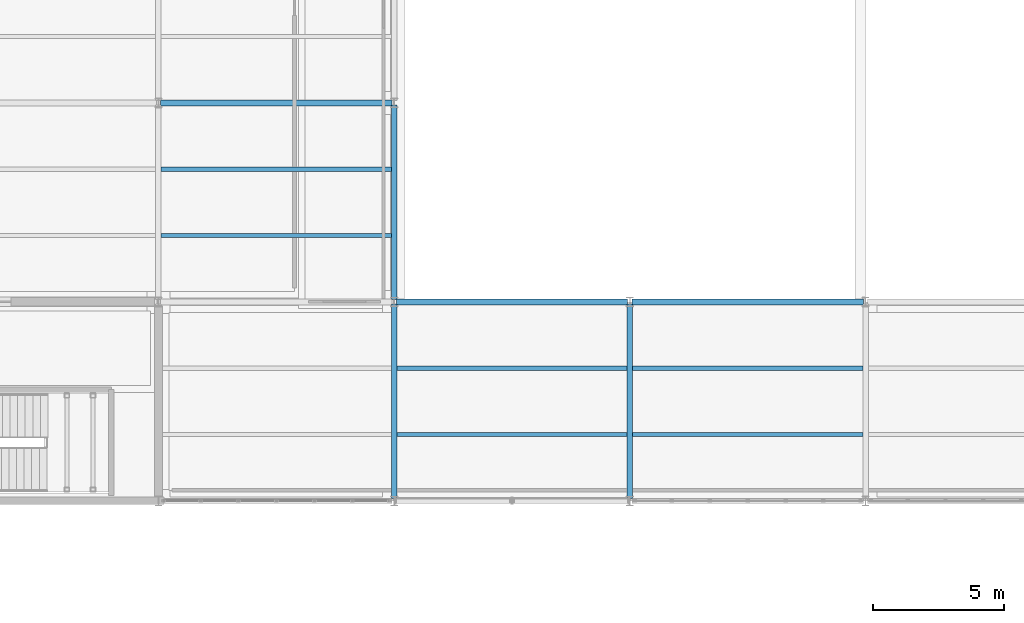
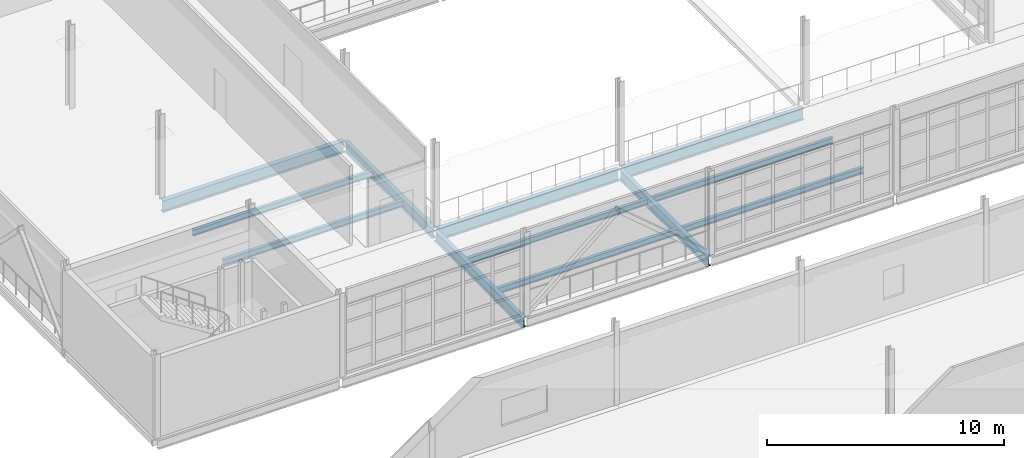
# One storey, part 39 of 174: 12 beams.
"""IFC4 building model written with IfcOpenShell, lengths in metres."""

import ifcopenshell
import ifcopenshell.guid

model = None  # the IFC model being written
_history = None  # IfcOwnerHistory: only IFC2X3 demands one
_inside = {}  # id of a spatial element -> (the spatial element, [elements in it])
_under = {}  # id of a project, library or spatial element -> (it, [spatial elements below it])
_declared = {}  # id of a project -> (the project, [libraries it declares])
_typed = {}  # id of a type object -> (the type object, [elements of that type])
_made_of = {}  # id of a material, layer set ... -> (it, [elements and type objects made of it])


def new_model(schema):
    """Start an empty IFC model of exactly this schema.

    Asked for "IFC4X3", IfcOpenShell would pick the latest addendum, in which some entities
    have other attributes; the version numbers below select the first issue.
    IFC2X3 requires an IfcOwnerHistory on every rooted entity: one is made here for all.
    """
    global model, _history
    if schema == "IFC4X3":
        model = ifcopenshell.file(schema_version=(4, 3, 0, 0))
    else:
        model = ifcopenshell.file(schema=schema)
    _inside.clear()
    _under.clear()
    _declared.clear()
    _typed.clear()
    _made_of.clear()
    _history = None
    if model.schema == "IFC2X3":
        org = make("IfcOrganization", Name="unknown")
        user = make(
            "IfcPersonAndOrganization",
            ThePerson=make("IfcPerson", FamilyName="unknown"),
            TheOrganization=org,
        )
        app = make(
            "IfcApplication",
            ApplicationDeveloper=org,
            Version="unknown",
            ApplicationFullName="unknown",
            ApplicationIdentifier="unknown",
        )
        _history = make(
            "IfcOwnerHistory",
            OwningUser=user,
            OwningApplication=app,
            ChangeAction="ADDED",
            CreationDate=0,
        )
    return model


def make(cls, **values):
    """One entity of the class cls with the attributes given. An attribute that is None is left unset."""
    return model.create_entity(
        cls, **{name: value for name, value in values.items() if value is not None}
    )


def rooted(cls, **values):
    """An entity with a GlobalId (a new one), such as an element, a storey or a relation."""
    return make(cls, GlobalId=ifcopenshell.guid.new(), OwnerHistory=_history, **values)


def si_unit(unit_type, name, prefix=None):
    """IfcSIUnit, for example si_unit("LENGTHUNIT", "METRE", prefix="MILLI")."""
    return make("IfcSIUnit", UnitType=unit_type, Prefix=prefix, Name=name)


def assignment(units):
    """IfcUnitAssignment: the units of a project."""
    return None if units is None else make("IfcUnitAssignment", Units=units)


def point(xyz):
    """IfcCartesianPoint."""
    return None if xyz is None else make("IfcCartesianPoint", Coordinates=xyz)


def direction(xyz):
    """IfcDirection."""
    return None if xyz is None else make("IfcDirection", DirectionRatios=xyz)


def frame(location, z_axis=None, x_axis=None):
    """IfcAxis2Placement3D, a coordinate frame: its origin and axes. An axis left out is left unset."""
    return make(
        "IfcAxis2Placement3D",
        Location=point(location),
        Axis=direction(z_axis),
        RefDirection=direction(x_axis),
    )


def frame_2d(location, x_axis=None):
    """IfcAxis2Placement2D, a coordinate frame in the plane: its origin and x axis."""
    return make(
        "IfcAxis2Placement2D", Location=point(location), RefDirection=direction(x_axis)
    )


def origin():
    """The frame at (0, 0, 0) with its axes left unset."""
    return frame((0.0, 0.0, 0.0))


def origin_2d():
    """The frame at (0, 0) in the plane with its x axis left unset."""
    return frame_2d((0.0, 0.0))


def place(relative_to, where):
    """IfcLocalPlacement: puts the frame where relative to a parent placement (None: the world)."""
    return make(
        "IfcLocalPlacement", PlacementRelTo=relative_to, RelativePlacement=where
    )


def context(
    kind, dimensions, precision=None, world=None, true_north=None, identifier=None
):
    """IfcGeometricRepresentationContext, for example the 3D "Model" context."""
    return make(
        "IfcGeometricRepresentationContext",
        ContextIdentifier=identifier,
        ContextType=kind,
        CoordinateSpaceDimension=dimensions,
        Precision=precision,
        WorldCoordinateSystem=world,
        TrueNorth=true_north,
    )


def subcontext(parent, identifier, kind, view, scale=None):
    """IfcGeometricRepresentationSubContext, for example "Body" below "Model"."""
    return make(
        "IfcGeometricRepresentationSubContext",
        ContextIdentifier=identifier,
        ContextType=kind,
        ParentContext=parent,
        TargetScale=scale,
        TargetView=view,
    )


def project(units=None, contexts=None):
    """IfcProject with its units and contexts."""
    return rooted(
        "IfcProject",
        Name="project",
        RepresentationContexts=contexts,
        UnitsInContext=assignment(units),
    )


def spatial(cls, under=None, at=None, **own):
    """A site, building, storey or space (cls), placed at a placement, below another one or the project."""
    s = rooted(cls, ObjectPlacement=at, **own)
    if under is not None:
        _under.setdefault(under.id(), (under, []))[1].append(s)
    return s


def profile(cls, at=None, kind="AREA", **sizes):
    """A parametric profile (cls). Its sizes go by their IFC names, for example OverallWidth=200.0."""
    return make(cls, ProfileType=kind, Position=at, **sizes)


def i_section(**sizes):
    """IfcIShapeProfileDef."""
    return profile("IfcIShapeProfileDef", **sizes)


def extrude(swept, where, along, depth):
    """IfcExtrudedAreaSolid: the profile swept, set in the frame where, extruded along a direction by depth."""
    return make(
        "IfcExtrudedAreaSolid",
        SweptArea=swept,
        Position=where,
        ExtrudedDirection=direction(along),
        Depth=depth,
    )


def shape(context_of_items, identifier, shape_type, items):
    """IfcShapeRepresentation: the items that make up one representation, for example the "Body"."""
    return make(
        "IfcShapeRepresentation",
        ContextOfItems=context_of_items,
        RepresentationIdentifier=identifier,
        RepresentationType=shape_type,
        Items=items,
    )


def material(Name=None, Category=None):
    """IfcMaterial."""
    return make("IfcMaterial", Name=Name, Category=Category)


def material_profile(
    of_material, cross_section, Name=None, Category=None, Priority=None
):
    """IfcMaterialProfile: a cross section and its material."""
    return make(
        "IfcMaterialProfile",
        Name=Name,
        Material=of_material,
        Profile=cross_section,
        Priority=Priority,
        Category=Category,
    )


def profile_set(profiles, Name=None, composite=None):
    """IfcMaterialProfileSet."""
    return make(
        "IfcMaterialProfileSet",
        Name=Name,
        MaterialProfiles=profiles,
        CompositeProfile=composite,
    )


def made_of(thing, what):
    """Note that an element or type object is made of a material, layer set ...; save() writes the relation."""
    if what is not None:
        _made_of.setdefault(what.id(), (what, []))[1].append(thing)
    return thing


def type_object(cls, material=None, **own):
    """A type object (cls), such as IfcWallType, which elements share."""
    return made_of(rooted(cls, **own), material)


def element(
    cls,
    number,
    at=None,
    inside=None,
    cuts=None,
    type_object=None,
    material=None,
    context=None,
    identifier="Body",
    shape_type=None,
    held_by="IfcProductDefinitionShape",
    body=None,
    shapes=None,
    **own,
):
    """One element of the class cls, such as IfcWall. Its Tag is "e" and its number.

    at: its placement. inside: the storey or other place that contains it. cuts: it is an
    opening in that element (IfcRelVoidsElement). A single representation is given by context,
    identifier, shape_type and body (its items); several are given by shapes. held_by: the class
    of the entity that holds the representations. save() writes the other relations.
    """
    e = rooted(cls, Tag="e%d" % number, ObjectPlacement=at, **own)
    if body is not None:
        shapes = [shape(context, identifier, shape_type, body)]
    if shapes is not None:
        e.Representation = make(held_by, Representations=shapes)
    if inside is not None:
        _inside.setdefault(inside.id(), (inside, []))[1].append(e)
    if cuts is not None:
        rooted(
            "IfcRelVoidsElement", RelatingBuildingElement=cuts, RelatedOpeningElement=e
        )
    if type_object is not None:
        _typed.setdefault(type_object.id(), (type_object, []))[1].append(e)
    return made_of(e, material)


def aggregate(whole, parts):
    """IfcRelAggregates: a whole, such as a stair, and the parts it consists of."""
    return rooted("IfcRelAggregates", RelatingObject=whole, RelatedObjects=parts)


def save(model, path):
    """Write the relations noted so far, then the file.

    IfcRelAggregates (storeys below a building ...), IfcRelContainedInSpatialStructure (elements
    in a storey), IfcRelDefinesByType, IfcRelAssociatesMaterial and IfcRelDeclares: one each for
    every whole, place, type object, material and project.
    """
    for whole, parts in _under.values():
        aggregate(whole, parts)
    for where, things in _inside.values():
        rooted(
            "IfcRelContainedInSpatialStructure",
            RelatedElements=things,
            RelatingStructure=where,
        )
    for kind, things in _typed.values():
        rooted("IfcRelDefinesByType", RelatedObjects=things, RelatingType=kind)
    for what, things in _made_of.values():
        rooted("IfcRelAssociatesMaterial", RelatedObjects=things, RelatingMaterial=what)
    for by, libraries in _declared.values():
        rooted("IfcRelDeclares", RelatingContext=by, RelatedDefinitions=libraries)
    model.write(path)


model = new_model("IFC4")

# Units and contexts
model_context = context("Model", 3, precision=1e-05, world=origin(), true_north=direction((0.0, 1.0)))
body_context = subcontext(model_context, "Body", "Model", "MODEL_VIEW")
ifc_project = project(units=[si_unit("LENGTHUNIT", "METRE"), si_unit("AREAUNIT", "SQUARE_METRE"), si_unit("VOLUMEUNIT", "CUBIC_METRE"), si_unit("PLANEANGLEUNIT", "RADIAN"), si_unit("MASSUNIT", "GRAM", prefix="KILO")], contexts=[model_context])

# Site, building, storey
site_placement = place(None, origin())
site = spatial("IfcSite", under=ifc_project, at=site_placement, CompositionType="ELEMENT")
building_placement = place(site_placement, origin())
building = spatial("IfcBuilding", under=site, at=building_placement, Name="Caisbarro Railhouse Central Library", CompositionType="ELEMENT")
storey_placement = place(building_placement, frame((0.0, 0.0, 5.0400390625)))
storey = spatial("IfcBuildingStorey", under=building, at=storey_placement, Name="L01", CompositionType="ELEMENT", Elevation=5.0400390625)

# Beams
ifc_material = material(Name="Steel ASTM A572 Grade 50", Category="steel")
ifc_material_profile_1 = material_profile(ifc_material, i_section(OverallWidth=0.22802734375, OverallDepth=0.60791015625, WebThickness=0.01123046875, FlangeThickness=0.017333984375, FilletRadius=0.02197265625, at=origin_2d()), Name="W610X113.0")
ifc_profile_set_1 = profile_set([ifc_material_profile_1], Name="Steel ASTM A572 Grade 50")
beam_type_1 = type_object("IfcBeamType", Name="BM-G04", PredefinedType="BEAM", material=ifc_profile_set_1)
for number, where, z_axis, x_axis, name in (
    (1, (18.080078125, 38.0, -0.52392578125), (1.0, 0.0, 0.0), (0.0, 1.0, 0.0), "G04 beam L01 #798"),
    (2, (27.080078125, 38.0, -0.52392578125), (1.0, 0.0, 0.0), (0.0, 1.0, 0.0), "G04 beam L01 #799"),
    (3, (9.080078125, 45.60009765625, -0.52392578125), (1.0, 0.0, 0.0), (0.0, 1.0, 0.0), "G04 beam L01 #805"),
):
    element("IfcBeam", number, at=place(storey_placement, frame(where, z_axis=z_axis, x_axis=x_axis)), inside=storey, type_object=beam_type_1, Name=name, PredefinedType="BEAM", context=body_context, shape_type="SweptSolid", body=[
        extrude(i_section(OverallWidth=0.22802734375, OverallDepth=0.60791015625, WebThickness=0.01123046875, FlangeThickness=0.017333984375, FilletRadius=0.02197265625, at=origin_2d()), origin(), (0.0, 0.0, 1.0), 8.83984375),
    ])
ifc_material_profile_2 = material_profile(ifc_material, i_section(OverallWidth=0.208984375, OverallDepth=0.532958984375, WebThickness=0.01025390625, FlangeThickness=0.015625, FilletRadius=0.02001953125, at=origin_2d()), Name="W530X92.0")
ifc_profile_set_2 = profile_set([ifc_material_profile_2], Name="Steel ASTM A572 Grade 50")
beam_type_2 = type_object("IfcBeamType", Name="BM-G06", PredefinedType="BEAM", material=ifc_profile_set_2)
for number, where, z_axis, x_axis, name in (
    (4, (18.0, 30.47998046875, -0.486572265625), (0.0, 1.0, 0.0), (-1.0, 0.0, 0.0), "G06 beam L01 #833"),
    (5, (18.0, 38.080078125, -0.486572265625), (0.0, 1.0, 0.0), (-1.0, 0.0, 0.0), "G06 beam L01 #834"),
    (6, (27.0, 30.47998046875, -0.486572265625), (0.0, 1.0, 0.0), (-1.0, 0.0, 0.0), "G06 beam L01 #837"),
):
    element("IfcBeam", number, at=place(storey_placement, frame(where, z_axis=z_axis, x_axis=x_axis)), inside=storey, type_object=beam_type_2, Name=name, PredefinedType="BEAM", context=body_context, shape_type="SweptSolid", body=[
        extrude(i_section(OverallWidth=0.208984375, OverallDepth=0.532958984375, WebThickness=0.01025390625, FlangeThickness=0.015625, FilletRadius=0.02001953125, at=origin_2d()), origin(), (0.0, 0.0, 1.0), 7.43994140625),
    ])
ifc_material_profile_3 = material_profile(ifc_material, i_section(OverallWidth=0.1650390625, OverallDepth=0.31005859375, WebThickness=0.005859375, FlangeThickness=0.009765625, FilletRadius=0.011962890625, at=origin_2d()), Name="W310X38.7")
ifc_profile_set_3 = profile_set([ifc_material_profile_3], Name="Steel ASTM A572 Grade 50")
beam_type_3 = type_object("IfcBeamType", Name="BM-J03", PredefinedType="JOIST", material=ifc_profile_set_3)
for number, where, z_axis, x_axis, name in (
    (7, (9.1044921875, 40.533203125, -0.375), (1.0, 0.0, 0.0), (0.0, 1.0, 0.0), "J03 beam L01 #865"),
    (8, (9.1044921875, 43.066650390625, -0.375), (1.0, 0.0, 0.0), (0.0, 1.0, 0.0), "J03 beam L01 #866"),
    (9, (18.1044921875, 32.933349609375, -0.375), (1.0, 0.0, 0.0), (0.0, 1.0, 0.0), "J03 beam L01 #871"),
    (10, (18.1044921875, 35.466796875, -0.375), (1.0, 0.0, 0.0), (0.0, 1.0, 0.0), "J03 beam L01 #872"),
    (11, (27.1044921875, 32.933349609375, -0.375), (1.0, 0.0, 0.0), (0.0, 1.0, 0.0), "J03 beam L01 #875"),
    (12, (27.1044921875, 35.466796875, -0.375), (1.0, 0.0, 0.0), (0.0, 1.0, 0.0), "J03 beam L01 #876"),
):
    element("IfcBeam", number, at=place(storey_placement, frame(where, z_axis=z_axis, x_axis=x_axis)), inside=storey, type_object=beam_type_3, Name=name, PredefinedType="JOIST", context=body_context, shape_type="SweptSolid", body=[
        extrude(i_section(OverallWidth=0.1650390625, OverallDepth=0.31005859375, WebThickness=0.005859375, FlangeThickness=0.009765625, FilletRadius=0.011962890625, at=origin_2d()), origin(), (0.0, 0.0, 1.0), 8.791015625),
    ])

save(model, "model.ifc")
